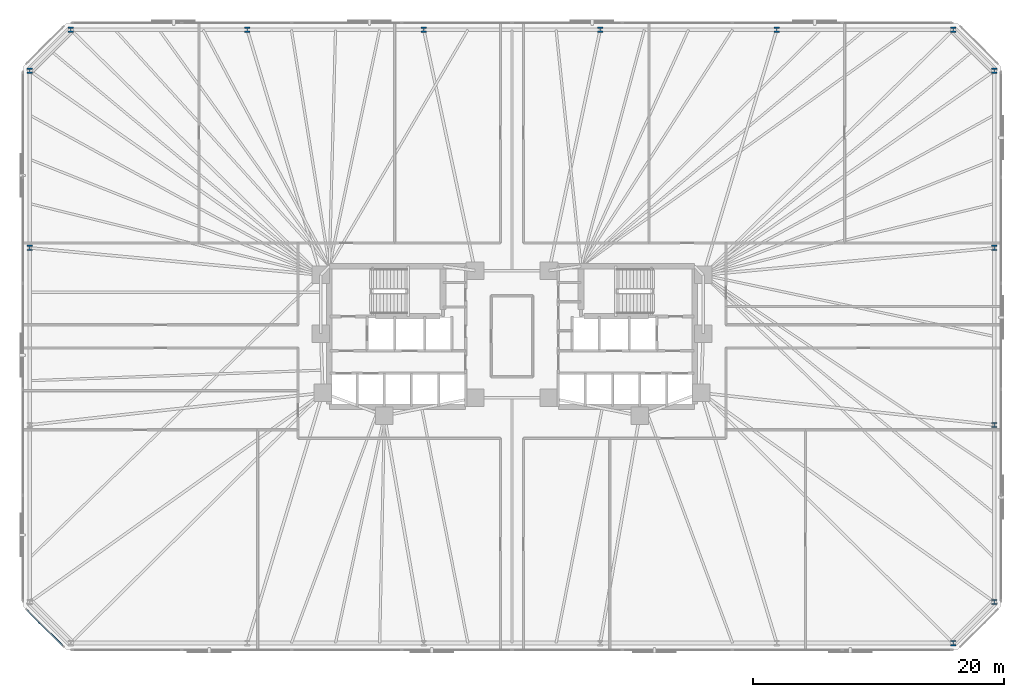
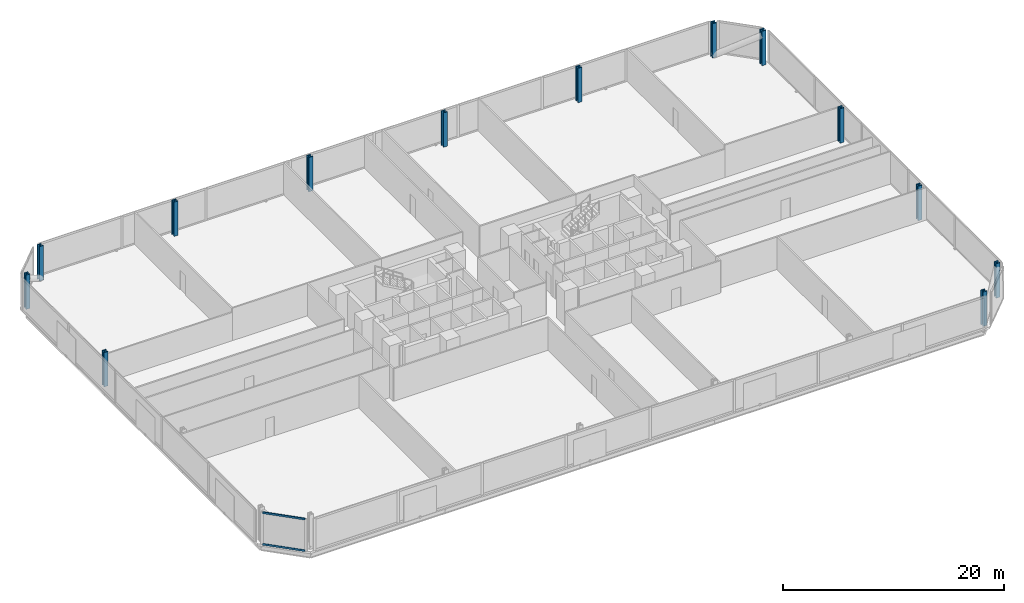
# One storey, part 5 of 17: 13 columns, 2 members, 1 element without a shape of its own.
"""IFC4 building model written with IfcOpenShell, lengths in metres."""

from ifc_helpers import new_model, si_unit, direction, frame, origin, origin_2d, place, context, subcontext, project, spatial, rectangle, i_section, extrude, material, material_profile, profile_set, type_object, element, aggregate, save


model = new_model("IFC4")

# Units and contexts
model_context = context("Model", 3, precision=1e-05, world=origin(), true_north=direction((0.0, 1.0)))
body_context = subcontext(model_context, "Body", "Model", "MODEL_VIEW")
ifc_project = project(units=[si_unit("LENGTHUNIT", "METRE"), si_unit("AREAUNIT", "SQUARE_METRE"), si_unit("VOLUMEUNIT", "CUBIC_METRE"), si_unit("PLANEANGLEUNIT", "RADIAN"), si_unit("MASSUNIT", "GRAM", prefix="KILO")], contexts=[model_context])

# Site, building, storey
site_placement = place(None, origin())
site = spatial("IfcSite", under=ifc_project, at=site_placement, CompositionType="ELEMENT")
building_placement = place(site_placement, origin())
building = spatial("IfcBuilding", under=site, at=building_placement, Name="Menara Jurai Vektor", CompositionType="ELEMENT")
storey_placement = place(building_placement, frame((0.0, 0.0, 48.39990234375)))
storey = spatial("IfcBuildingStorey", under=building, at=storey_placement, Name="L11", CompositionType="ELEMENT", Elevation=48.39990234375)

# Columns
ifc_material_1 = material(Name="Steel S460", Category="steel")
ifc_material_profile_1 = material_profile(ifc_material_1, i_section(OverallWidth=0.419921875, OverallDepth=0.430908203125, WebThickness=0.06494140625, FlangeThickness=0.10595703125, FilletRadius=0.014892578125, at=origin_2d()), Name="HD 400x900")
ifc_profile_set_1 = profile_set([ifc_material_profile_1], Name="Steel S460")
column_type = type_object("IfcColumnType", Name="STR-EXO-BLK1", PredefinedType="COLUMN", material=ifc_profile_set_1)
for number, where, z_axis, x_axis, name in (
    (1, (35.177734375, -24.449951171875, 0.0), (0.0, 0.0, 1.0), (1.0, 0.0, 0.0), "Exoskeleton Column BLK1-S6 L11"),
    (2, (38.449951171875, -21.177734375, 0.0), (0.0, 0.0, 1.0), (1.0, 0.0, 0.0), "Exoskeleton Column BLK1-E1 L11"),
    (3, (38.449951171875, -7.059326171875, 0.0), (0.0, 0.0, 1.0), (1.0, 0.0, 0.0), "Exoskeleton Column BLK1-E2 L11"),
    (4, (38.449951171875, 7.059326171875, 0.0), (0.0, 0.0, 1.0), (1.0, 0.0, 0.0), "Exoskeleton Column BLK1-E3 L11"),
    (5, (38.449951171875, 21.177734375, 0.0), (0.0, 0.0, 1.0), (1.0, 0.0, 0.0), "Exoskeleton Column BLK1-E4 L11"),
    (6, (35.177734375, 24.449951171875, 0.0), (0.0, 0.0, 1.0), (1.0, 0.0, 0.0), "Exoskeleton Column BLK1-N1 L11"),
    (7, (21.106689453125, 24.449951171875, 0.0), (0.0, 0.0, 1.0), (1.0, 0.0, 0.0), "Exoskeleton Column BLK1-N2 L11"),
    (8, (7.03564453125, 24.449951171875, 0.0), (0.0, 0.0, 1.0), (1.0, 0.0, 0.0), "Exoskeleton Column BLK1-N3 L11"),
    (9, (-7.03564453125, 24.449951171875, 0.0), (0.0, 0.0, 1.0), (1.0, 0.0, 0.0), "Exoskeleton Column BLK1-N4 L11"),
    (10, (-21.106689453125, 24.449951171875, 0.0), (0.0, 0.0, 1.0), (1.0, 0.0, 0.0), "Exoskeleton Column BLK1-N5 L11"),
    (11, (-35.177734375, 24.449951171875, 0.0), (0.0, 0.0, 1.0), (1.0, 0.0, 0.0), "Exoskeleton Column BLK1-N6 L11"),
    (12, (-38.449951171875, 21.177734375, 0.0), (0.0, 0.0, 1.0), (1.0, 0.0, 0.0), "Exoskeleton Column BLK1-W1 L11"),
    (13, (-38.449951171875, 7.059326171875, 0.0), (0.0, 0.0, 1.0), (1.0, 0.0, 0.0), "Exoskeleton Column BLK1-W2 L11"),
):
    element("IfcColumn", number, at=place(storey_placement, frame(where, z_axis=z_axis, x_axis=x_axis)), inside=storey, type_object=column_type, Name=name, PredefinedType="COLUMN", context=body_context, shape_type="SweptSolid", body=[
        extrude(i_section(OverallWidth=0.419921875, OverallDepth=0.430908203125, WebThickness=0.06494140625, FlangeThickness=0.10595703125, FilletRadius=0.014892578125, at=origin_2d()), origin(), (0.0, 0.0, 1.0), 3.800048828125),
    ])

# Curtain wall, members
ifc_material_2 = material(Name="Anodised Pale Aluminium & Low-E Double Glazing", Category="aluminium")
curtain_wall_type = type_object("IfcCurtainWallType", Name="CW-BLK1", PredefinedType="NOTDEFINED", material=ifc_material_2)
curtain_wall_placement = place(storey_placement, origin())
curtain_wall = element("IfcCurtainWall", 14, at=curtain_wall_placement, inside=storey, type_object=curtain_wall_type, Name="Unitised Curtain Wall L11 F08", PredefinedType="NOTDEFINED")
ifc_material_3 = material(Name="Anodised Pale Aluminium Transom", Category="aluminium")
ifc_material_profile_2 = material_profile(ifc_material_3, rectangle(XDim=0.094970703125, YDim=0.199951171875, at=origin_2d()), Name="ALU TRN 95x200")
ifc_profile_set_2 = profile_set([ifc_material_profile_2], Name="Anodised Pale Aluminium Transom")
member_type = type_object("IfcMemberType", Name="CW-BLK1-TRN", PredefinedType="USERDEFINED", material=ifc_profile_set_2)
member_1_placement = place(storey_placement, frame((-38.6640625, -21.8359375, 0.047607421875), z_axis=(0.707106781187, -0.707106781187, 0.0), x_axis=(0.707106781187, 0.707106781187, 0.0)))
member_1 = element("IfcMember", 15, at=member_1_placement, type_object=member_type, Name="CW-01 transom 1.1", ObjectType="TRANSOM", PredefinedType="USERDEFINED", context=body_context, shape_type="SweptSolid", body=[
    extrude(rectangle(XDim=0.094970703125, YDim=0.199951171875, at=origin_2d()), origin(), (0.0, 0.0, 1.0), 3.99951171875),
])
member_2_placement = place(storey_placement, frame((-38.6640625, -21.8359375, 3.527587890625), z_axis=(0.707106781187, -0.707106781187, 0.0), x_axis=(0.707106781187, 0.707106781187, 0.0)))
member_2 = element("IfcMember", 16, at=member_2_placement, type_object=member_type, Name="CW-01 transom 1.2", ObjectType="TRANSOM", PredefinedType="USERDEFINED", context=body_context, shape_type="SweptSolid", body=[
    extrude(rectangle(XDim=0.094970703125, YDim=0.199951171875, at=origin_2d()), origin(), (0.0, 0.0, 1.0), 3.99951171875),
])
aggregate(curtain_wall, [member_1, member_2])

save(model, "model.ifc")
